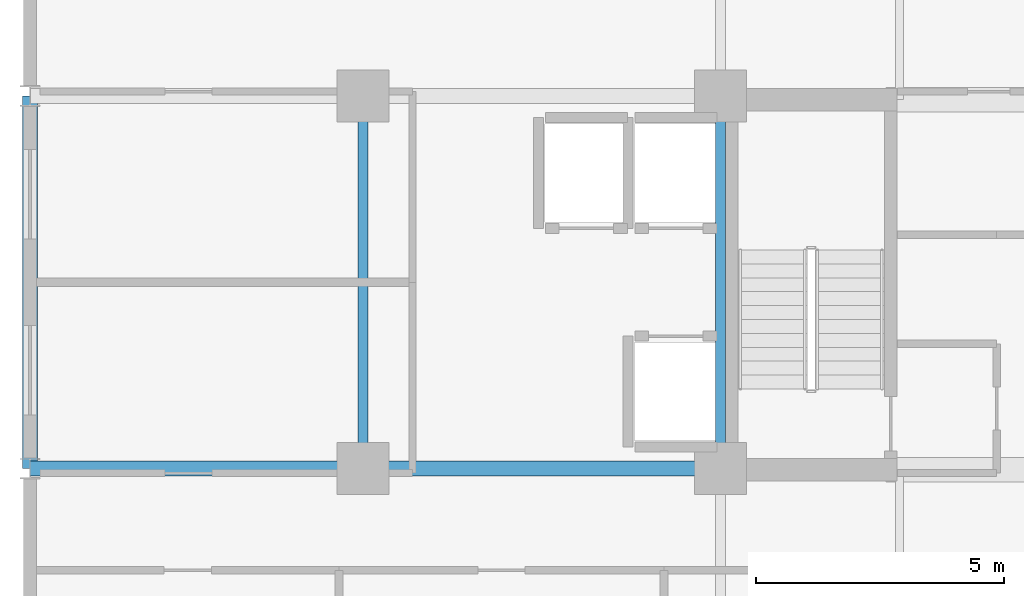
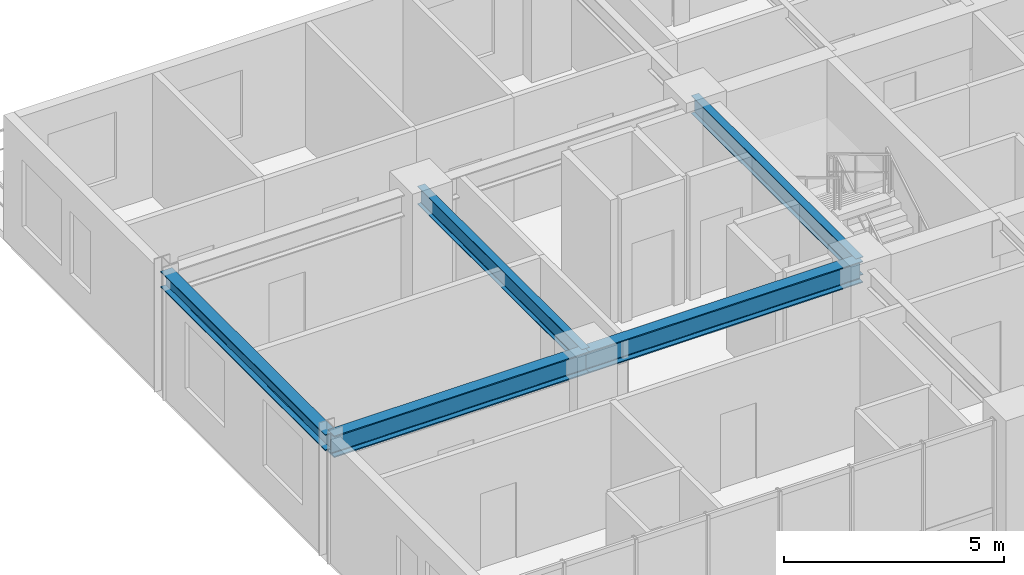
# One storey, part 5 of 17: 5 beams.
"""IFC4 building model written with IfcOpenShell, lengths in metres."""

from ifc_helpers import new_model, si_unit, direction, frame, origin, origin_2d, place, context, subcontext, project, spatial, i_section, extrude, source, transform, mapped, material, material_profile, profile_set, type_object, element, save


model = new_model("IFC4")

# Units and contexts
model_context = context("Model", 3, precision=1e-05, world=origin(), true_north=direction((0.0, 1.0)))
body_context = subcontext(model_context, "Body", "Model", "MODEL_VIEW")
ifc_project = project(units=[si_unit("LENGTHUNIT", "METRE"), si_unit("AREAUNIT", "SQUARE_METRE"), si_unit("VOLUMEUNIT", "CUBIC_METRE"), si_unit("PLANEANGLEUNIT", "RADIAN"), si_unit("MASSUNIT", "GRAM", prefix="KILO")], contexts=[model_context])

# Site, building, storey
site_placement = place(None, origin())
site = spatial("IfcSite", under=ifc_project, at=site_placement, CompositionType="ELEMENT")
building_placement = place(site_placement, origin())
building = spatial("IfcBuilding", under=site, at=building_placement, Name="Kaliganga Portal Commons", CompositionType="ELEMENT")
storey_placement = place(building_placement, frame((0.0, 0.0, 143.89990234375)))
storey = spatial("IfcBuildingStorey", under=building, at=storey_placement, Name="L36", CompositionType="ELEMENT", Elevation=143.89990234375)

# Beams
ifc_material = material(Name="Structural steel S355J2", Category="steel")
ifc_material_profile_1 = material_profile(ifc_material, i_section(OverallWidth=0.199951171875, OverallDepth=0.5, WebThickness=0.01025390625, FlangeThickness=0.01611328125, FilletRadius=0.02099609375, at=origin_2d()), Name="IPE 500")
ifc_profile_set_1 = profile_set([ifc_material_profile_1], Name="Structural steel S355J2 wide-flange")
beam_type_1 = type_object("IfcBeamType", Name="BM-FLR-500", PredefinedType="BEAM", material=ifc_profile_set_1)
shared_shape_1 = source(origin(), body_context, "Body", "SweptSolid", [
    extrude(i_section(OverallWidth=0.199951171875, OverallDepth=0.5, WebThickness=0.01025390625, FlangeThickness=0.01611328125, FilletRadius=0.02099609375, at=origin_2d()), origin(), (0.0, 0.0, 1.0), 7.5),
])
for number, where, z_axis, x_axis, name in (
    (1, (7.199951171875, 28.64990234375, 3.210205078125), (0.0, 1.0, 0.0), (-1.0, 0.0, 0.0), "BM G L36 AW72"),
    (2, (14.39990234375, 28.64990234375, 3.210205078125), (0.0, 1.0, 0.0), (-1.0, 0.0, 0.0), "BM G L36 AM144"),
):
    element("IfcBeam", number, at=place(storey_placement, frame(where, z_axis=z_axis, x_axis=x_axis)), inside=storey, type_object=beam_type_1, Name=name, PredefinedType="BEAM", context=body_context, shape_type="MappedRepresentation", body=[
        mapped(shared_shape_1, transform((0.0, 0.0, 0.0), x_axis=(1.0, 0.0, 0.0), y_axis=(0.0, 1.0, 0.0), z_axis=(0.0, 0.0, 1.0), scale=1.0)),
    ])
ifc_material_profile_2 = material_profile(ifc_material, i_section(OverallWidth=0.300048828125, OverallDepth=0.449951171875, WebThickness=0.013916015625, FlangeThickness=0.02587890625, FilletRadius=0.027099609375, at=origin_2d()), Name="HE 450 B")
ifc_profile_set_2 = profile_set([ifc_material_profile_2], Name="Structural steel S355J2 wide-flange")
beam_type_2 = type_object("IfcBeamType", Name="BM-SPAND-450", PredefinedType="SPANDREL", material=ifc_profile_set_2)
shared_shape_2 = source(origin(), body_context, "Body", "SweptSolid", [
    extrude(i_section(OverallWidth=0.300048828125, OverallDepth=0.449951171875, WebThickness=0.013916015625, FlangeThickness=0.02587890625, FilletRadius=0.027099609375, at=origin_2d()), origin(), (0.0, 0.0, 1.0), 7.5),
])
beam_1_placement = place(storey_placement, frame((0.5, 28.64990234375, 3.235107421875), z_axis=(0.0, 1.0, 0.0), x_axis=(-1.0, 0.0, 0.0)))
element("IfcBeam", 3, at=beam_1_placement, inside=storey, type_object=beam_type_2, Name="BM SP L36 AW", PredefinedType="SPANDREL", context=body_context, shape_type="MappedRepresentation", body=[
    mapped(shared_shape_2, transform((0.0, 0.0, 0.0), x_axis=(1.0, 0.0, 0.0), y_axis=(0.0, 1.0, 0.0), z_axis=(0.0, 0.0, 1.0), scale=1.0)),
])
ifc_material_profile_3 = material_profile(ifc_material, i_section(OverallWidth=0.300048828125, OverallDepth=0.60009765625, WebThickness=0.015380859375, FlangeThickness=0.030029296875, FilletRadius=0.027099609375, at=origin_2d()), Name="HE 600 B")
ifc_profile_set_3 = profile_set([ifc_material_profile_3], Name="Structural steel S355J2 wide-flange")
beam_type_3 = type_object("IfcBeamType", Name="BM-GIRD-600", PredefinedType="USERDEFINED", material=ifc_profile_set_3)
shared_shape_3 = source(origin(), body_context, "Body", "SweptSolid", [
    extrude(i_section(OverallWidth=0.300048828125, OverallDepth=0.60009765625, WebThickness=0.015380859375, FlangeThickness=0.030029296875, FilletRadius=0.027099609375, at=origin_2d()), origin(), (0.0, 0.0, 1.0), 6.699951171875),
])
beam_2_placement = place(storey_placement, frame((0.5, 28.64990234375, 3.16015625), z_axis=(1.0, 0.0, 0.0), x_axis=(0.0, 1.0, 0.0)))
element("IfcBeam", 4, at=beam_2_placement, inside=storey, type_object=beam_type_3, Name="BM G L36 WAH_S 1", ObjectType="GIRDER", PredefinedType="USERDEFINED", context=body_context, shape_type="MappedRepresentation", body=[
    mapped(shared_shape_3, transform((0.0, 0.0, 0.0), x_axis=(1.0, 0.0, 0.0), y_axis=(0.0, 1.0, 0.0), z_axis=(0.0, 0.0, 1.0), scale=1.0)),
])
shared_shape_4 = source(origin(), body_context, "Body", "SweptSolid", [
    extrude(i_section(OverallWidth=0.300048828125, OverallDepth=0.60009765625, WebThickness=0.015380859375, FlangeThickness=0.030029296875, FilletRadius=0.027099609375, at=origin_2d()), origin(), (0.0, 0.0, 1.0), 7.199951171875),
])
beam_3_placement = place(storey_placement, frame((7.199951171875, 28.64990234375, 3.16015625), z_axis=(1.0, 0.0, 0.0), x_axis=(0.0, 1.0, 0.0)))
element("IfcBeam", 5, at=beam_3_placement, inside=storey, type_object=beam_type_3, Name="BM G L36 WAH_S 2", ObjectType="GIRDER", PredefinedType="USERDEFINED", context=body_context, shape_type="MappedRepresentation", body=[
    mapped(shared_shape_4, transform((0.0, 0.0, 0.0), x_axis=(1.0, 0.0, 0.0), y_axis=(0.0, 1.0, 0.0), z_axis=(0.0, 0.0, 1.0), scale=1.0)),
])

save(model, "model.ifc")
